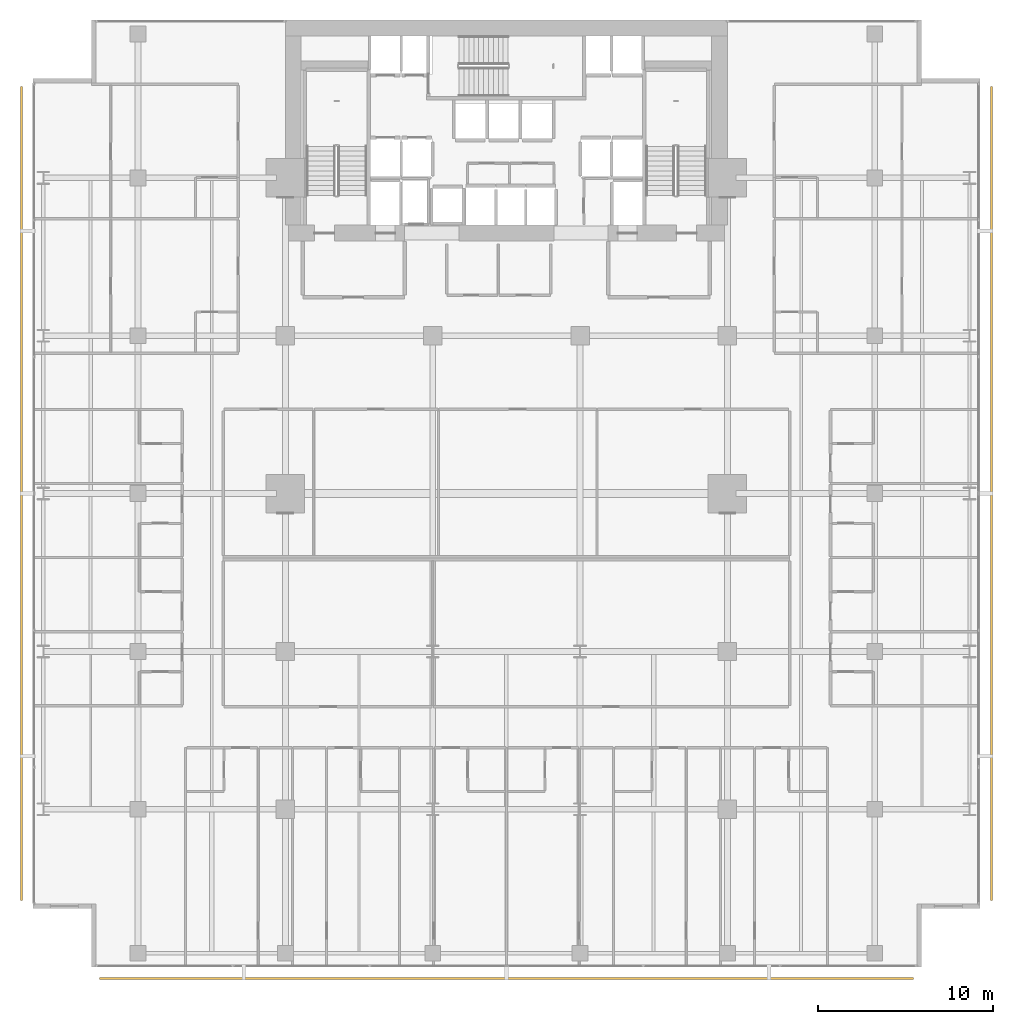
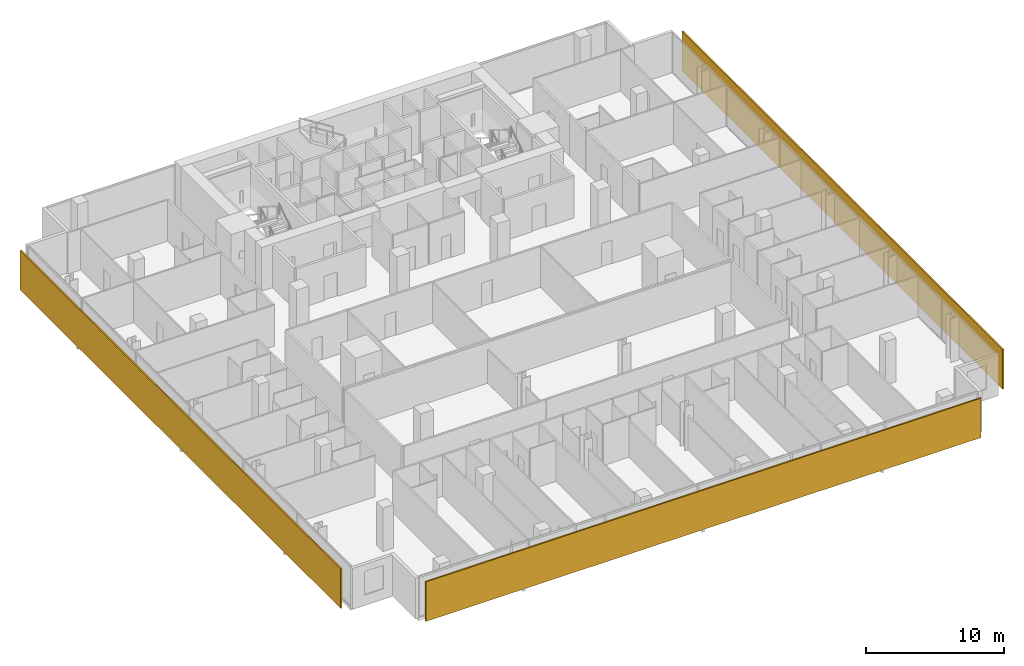
# One storey, part 39 of 40: 3 shading devices.
"""IFC4 building model written with IfcOpenShell, lengths in metres."""

from ifc_helpers import new_model, si_unit, direction, frame, origin, origin_2d, place, context, subcontext, project, spatial, rectangle, extrude, material, layer, layer_set, type_object, element, save


model = new_model("IFC4")

# Units and contexts
model_context = context("Model", 3, precision=1e-05, world=origin(), true_north=direction((0.0, 1.0)))
body_context = subcontext(model_context, "Body", "Model", "MODEL_VIEW")
ifc_project = project(units=[si_unit("LENGTHUNIT", "METRE"), si_unit("AREAUNIT", "SQUARE_METRE"), si_unit("VOLUMEUNIT", "CUBIC_METRE"), si_unit("PLANEANGLEUNIT", "RADIAN"), si_unit("MASSUNIT", "GRAM", prefix="KILO")], contexts=[model_context])

# Site, building, storey
site_placement = place(None, origin())
site = spatial("IfcSite", under=ifc_project, at=site_placement, CompositionType="ELEMENT")
building_placement = place(site_placement, origin())
building = spatial("IfcBuilding", under=site, at=building_placement, Name="Maruvema Waterfront Hotel and Observation Tower", CompositionType="ELEMENT")
storey_placement = place(building_placement, frame((0.0, 0.0, 38.5)))
storey = spatial("IfcBuildingStorey", under=building, at=storey_placement, Name="L08", CompositionType="ELEMENT", Elevation=38.5)

# Shading devices
ifc_material = material(Name="Honed travertine stone and anodised architectural bronze", Category="masonry")
ifc_layer = layer(ifc_material, 0.1201171875, Name="Ventilated Outer Skin Cobogo Stone-and-Bronze Screen 120 mm")
ifc_layer_set = layer_set([ifc_layer], Name="Honed travertine stone and anodised architectural bronze")
shading_device_type = type_object("IfcShadingDeviceType", Name="Ventilated Outer Skin Cobogo Stone-and-Bronze Screen 120 mm", PredefinedType="USERDEFINED", material=ifc_layer_set)
for number, where, z_axis, x_axis, name in (
    (1, (37.800048828125, -0.64990234375, 0.06005859375), (0.0, 0.0, 1.0), (1.0, 0.0, 0.0), "L08 Ventilated Double-Skin Outer Cobogo Screen OS-L08-S"),
    (2, (65.449951171875, 27.0, 0.06005859375), (0.0, 0.0, 1.0), (0.0, 1.0, 0.0), "L08 Ventilated Double-Skin Outer Cobogo Screen OS-L08-E"),
    (3, (10.14990234375, 27.0, 0.06005859375), (0.0, 0.0, 1.0), (0.0, -1.0, 0.0), "L08 Ventilated Double-Skin Outer Cobogo Screen OS-L08-W"),
):
    element("IfcShadingDevice", number, at=place(storey_placement, frame(where, z_axis=z_axis, x_axis=x_axis)), inside=storey, type_object=shading_device_type, Name=name, ObjectType="OUTER SKIN SCREEN", PredefinedType="USERDEFINED", context=body_context, shape_type="SweptSolid", body=[
        extrude(rectangle(XDim=46.39990234375, YDim=0.1201171875, at=origin_2d()), origin(), (0.0, 0.0, 1.0), 3.489990234375),
    ])

save(model, "model.ifc")
